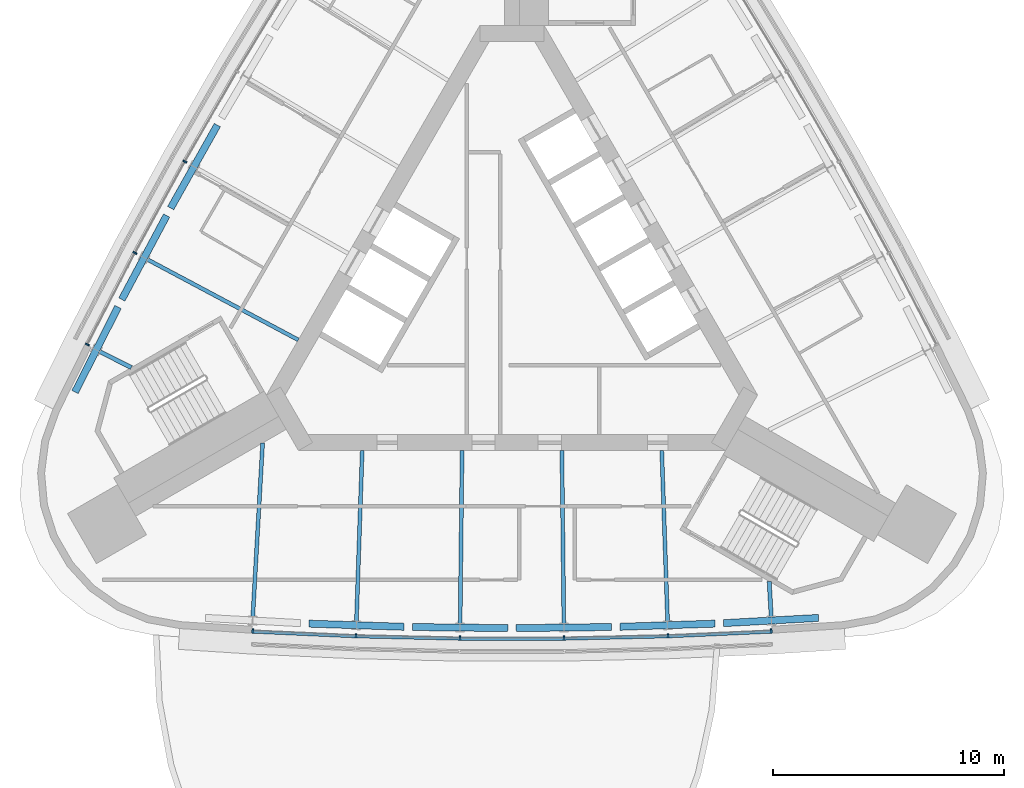
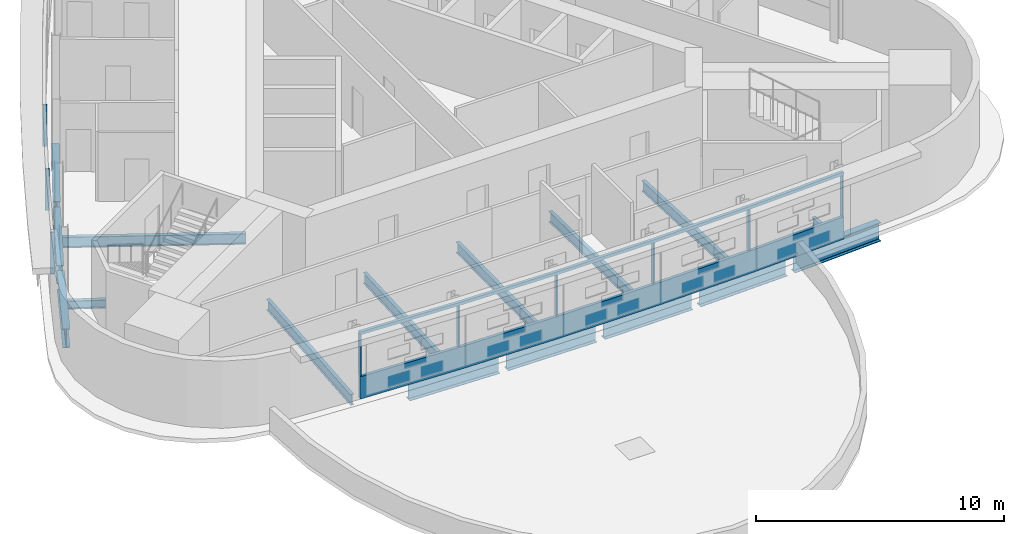
# One storey, part 2 of 9: 16 beams, 11 members, 2 elements without a shape of their own.
"""IFC4 building model written with IfcOpenShell, lengths in metres."""

from ifc_helpers import new_model, si_unit, direction, frame, origin, origin_2d, place, context, subcontext, project, spatial, polyline, rectangle, i_section, outline, extrude, material, material_profile, profile_set, type_object, element, aggregate, save


model = new_model("IFC4")

# Units and contexts
model_context = context("Model", 3, precision=1e-05, world=origin(), true_north=direction((0.0, 1.0)))
body_context = subcontext(model_context, "Body", "Model", "MODEL_VIEW")
ifc_project = project(units=[si_unit("LENGTHUNIT", "METRE"), si_unit("AREAUNIT", "SQUARE_METRE"), si_unit("VOLUMEUNIT", "CUBIC_METRE"), si_unit("PLANEANGLEUNIT", "RADIAN"), si_unit("MASSUNIT", "GRAM", prefix="KILO")], contexts=[model_context])

# Site, building, storey
site_placement = place(None, origin())
site = spatial("IfcSite", under=ifc_project, at=site_placement, CompositionType="ELEMENT")
building_placement = place(site_placement, origin())
building = spatial("IfcBuilding", under=site, at=building_placement, Name="Noor Cloister Tower", CompositionType="ELEMENT")
storey_placement = place(building_placement, frame((0.0, 0.0, 229.199951171875)))
storey = spatial("IfcBuildingStorey", under=building, at=storey_placement, Name="L59", CompositionType="ELEMENT", Elevation=229.199951171875)

# Curtain wall, member
ifc_material_1 = material(Name="Aluminium 6063-T6 anodised", Category="aluminium")
curtain_wall_type = type_object("IfcCurtainWallType", Name="Ribbon curtain wall, upper tower CW5", PredefinedType="NOTDEFINED", material=ifc_material_1)
curtain_wall_1_placement = place(storey_placement, origin())
curtain_wall_1 = element("IfcCurtainWall", 1, at=curtain_wall_1_placement, inside=storey, type_object=curtain_wall_type, Name="CW5 L59 S run 2", PredefinedType="NOTDEFINED")
ifc_material_2 = material(Name="Aluminium 6063-T6 anodised", Category="aluminium")
member_type_1 = type_object("IfcMemberType", Name="Head transom CW5 150", PredefinedType="USERDEFINED", material=ifc_material_2)
member_1_placement = place(storey_placement, frame((0.0, 0.0, 3.150146484375)))
member_1 = element("IfcMember", 2, at=member_1_placement, type_object=member_type_1, Name="CW5 head transom", ObjectType="TRANSOM", PredefinedType="USERDEFINED", context=body_context, shape_type="SweptSolid", body=[
    extrude(outline(polyline([(-11.243896484375, -14.820068359375), (-6.748779296875, -15.02392578125), (-2.25, -15.125732421875), (2.25, -15.125732421875), (6.748779296875, -15.02392578125), (11.243896484375, -14.820068359375), (11.237548828125, -14.68017578125), (6.743896484375, -14.884033203125), (2.248291015625, -14.98583984375), (-2.248291015625, -14.98583984375), (-6.743896484375, -14.884033203125), (-11.237548828125, -14.68017578125), (-11.243896484375, -14.820068359375)])), origin(), (0.0, 0.0, 1.0), 0.14990234375),
])

# Curtain wall, members
curtain_wall_2_placement = place(storey_placement, origin())
curtain_wall_2 = element("IfcCurtainWall", 3, at=curtain_wall_2_placement, inside=storey, type_object=curtain_wall_type, Name="CW5 L59 NW run 1", PredefinedType="NOTDEFINED")
ifc_material_3 = material(Name="Aluminium 6063-T6 anodised", Category="aluminium")
ifc_material_profile_1 = material_profile(ifc_material_3, rectangle(XDim=0.179931640625, YDim=0.070068359375, at=origin_2d()), Name="180 x 70 mullion")
ifc_profile_set_1 = profile_set([ifc_material_profile_1], Name="Aluminium 6063-T6 anodised")
member_type_2 = type_object("IfcMemberType", Name="Mullion CW5 70 x 180", PredefinedType="MULLION", material=ifc_profile_set_1)
member_2_placement = place(storey_placement, frame((-14.13720703125, 5.5654296875, 1.10009765625), z_axis=(0.0, 0.0, 1.0), x_axis=(0.871632377887, -0.490160175676, 0.0)))
member_2 = element("IfcMember", 4, at=member_2_placement, type_object=member_type_2, Name="CW5 mullion 4", PredefinedType="MULLION", context=body_context, shape_type="SweptSolid", body=[
    extrude(rectangle(XDim=0.179931640625, YDim=0.070068359375, at=origin_2d()), origin(), (0.0, 0.0, 1.0), 2.050048828125),
])
member_3_placement = place(storey_placement, frame((-16.297119140625, 1.620361328125, 1.10009765625), z_axis=(0.0, 0.0, 1.0), x_axis=(0.882510233786, -0.470293192874, 0.0)))
member_3 = element("IfcMember", 5, at=member_3_placement, type_object=member_type_2, Name="CW5 mullion 5", PredefinedType="MULLION", context=body_context, shape_type="SweptSolid", body=[
    extrude(rectangle(XDim=0.179931640625, YDim=0.070068359375, at=origin_2d()), origin(), (0.0, 0.0, 1.0), 2.050048828125),
])
member_4_placement = place(storey_placement, frame((-18.3515625, -2.342529296875, 1.10009765625), z_axis=(0.0, 0.0, 1.0), x_axis=(0.887779720384, -0.460268582541, 0.0)))
member_4 = element("IfcMember", 6, at=member_4_placement, type_object=member_type_2, Name="CW5 mullion 6", PredefinedType="MULLION", context=body_context, shape_type="SweptSolid", body=[
    extrude(rectangle(XDim=0.179931640625, YDim=0.070068359375, at=origin_2d()), origin(), (0.0, 0.0, 1.0), 2.050048828125),
])
aggregate(curtain_wall_2, [member_2, member_3, member_4])

# Member
member_5_placement = place(storey_placement, frame((-11.20458984375, -14.7216796875, 1.10009765625), z_axis=(0.0, 0.0, 1.0), x_axis=(0.045285575148, 0.998974082088, 0.0)))
member_5 = element("IfcMember", 7, at=member_5_placement, type_object=member_type_2, Name="CW5 mullion 1", PredefinedType="MULLION", context=body_context, shape_type="SweptSolid", body=[
    extrude(rectangle(XDim=0.179931640625, YDim=0.070068359375, at=origin_2d()), origin(), (0.0, 0.0, 1.0), 2.050048828125),
])

member_6_placement = place(storey_placement, frame((-6.745361328125, -14.923828125, 1.10009765625), z_axis=(0.0, 0.0, 1.0), x_axis=(0.033969264638, 0.999422877995, 0.0)))
member_6 = element("IfcMember", 8, at=member_6_placement, type_object=member_type_2, Name="CW5 mullion 2", PredefinedType="MULLION", context=body_context, shape_type="SweptSolid", body=[
    extrude(rectangle(XDim=0.179931640625, YDim=0.070068359375, at=origin_2d()), origin(), (0.0, 0.0, 1.0), 2.050048828125),
])

member_7_placement = place(storey_placement, frame((-2.248779296875, -15.02587890625, 1.10009765625), z_axis=(0.0, 0.0, 1.0), x_axis=(0.011325024885, 0.999935869849, 0.0)))
member_7 = element("IfcMember", 9, at=member_7_placement, type_object=member_type_2, Name="CW5 mullion 3", PredefinedType="MULLION", context=body_context, shape_type="SweptSolid", body=[
    extrude(rectangle(XDim=0.179931640625, YDim=0.070068359375, at=origin_2d()), origin(), (0.0, 0.0, 1.0), 2.050048828125),
])

member_8_placement = place(storey_placement, frame((2.248779296875, -15.02587890625, 1.10009765625), z_axis=(0.0, 0.0, 1.0), x_axis=(-0.011325024885, 0.999935869849, 0.0)))
member_8 = element("IfcMember", 10, at=member_8_placement, type_object=member_type_2, Name="CW5 mullion 4", PredefinedType="MULLION", context=body_context, shape_type="SweptSolid", body=[
    extrude(rectangle(XDim=0.179931640625, YDim=0.070068359375, at=origin_2d()), origin(), (0.0, 0.0, 1.0), 2.050048828125),
])

member_9_placement = place(storey_placement, frame((6.745361328125, -14.923828125, 1.10009765625), z_axis=(0.0, 0.0, 1.0), x_axis=(-0.033969264638, 0.999422877995, 0.0)))
member_9 = element("IfcMember", 11, at=member_9_placement, type_object=member_type_2, Name="CW5 mullion 5", PredefinedType="MULLION", context=body_context, shape_type="SweptSolid", body=[
    extrude(rectangle(XDim=0.179931640625, YDim=0.070068359375, at=origin_2d()), origin(), (0.0, 0.0, 1.0), 2.050048828125),
])

member_10_placement = place(storey_placement, frame((11.20458984375, -14.7216796875, 1.10009765625), z_axis=(0.0, 0.0, 1.0), x_axis=(-0.045285575148, 0.998974082088, 0.0)))
member_10 = element("IfcMember", 12, at=member_10_placement, type_object=member_type_2, Name="CW5 mullion 6", PredefinedType="MULLION", context=body_context, shape_type="SweptSolid", body=[
    extrude(rectangle(XDim=0.179931640625, YDim=0.070068359375, at=origin_2d()), origin(), (0.0, 0.0, 1.0), 2.050048828125),
])

# Beams
ifc_material_4 = material(Name="Steel ASTM A992 Gr 50", Category="steel")
ifc_material_profile_2 = material_profile(ifc_material_4, i_section(OverallWidth=0.177978515625, OverallDepth=0.406005859375, WebThickness=0.0078125, FlangeThickness=0.0126953125, FilletRadius=0.01025390625, at=origin_2d()), Name="W410x60")
ifc_profile_set_2 = profile_set([ifc_material_profile_2], Name="Steel ASTM A992 Gr 50")
beam_type_1 = type_object("IfcBeamType", Name="Radial beam W410x60", PredefinedType="BEAM", material=ifc_profile_set_2)
for number, where, z_axis, x_axis, name in (
    (13, (-17.829345703125, -2.643798828125, -0.40283203125), (0.892933749937, -0.45018809205, 0.0), (0.45018809205, 0.892933749937, 0.0), "Radial beam NW 06 L59"),
    (14, (11.204345703125, -14.11865234375, -0.40283203125), (-0.056689023723, 0.998391884277, 0.0), (-0.998391884277, -0.056689023723, 0.0), "Radial beam S 06 L59"),
):
    element("IfcBeam", number, at=place(storey_placement, frame(where, z_axis=z_axis, x_axis=x_axis)), inside=storey, type_object=beam_type_1, Name=name, PredefinedType="BEAM", context=body_context, shape_type="SweptSolid", body=[
        extrude(i_section(OverallWidth=0.177978515625, OverallDepth=0.406005859375, WebThickness=0.0078125, FlangeThickness=0.0126953125, FilletRadius=0.01025390625, at=origin_2d()), origin(), (0.0, 0.0, 1.0), 1.541748046875),
    ])
ifc_material_5 = material(Name="Steel ASTM A992 Gr 50", Category="steel")
ifc_material_profile_3 = material_profile(ifc_material_5, i_section(OverallWidth=0.166015625, OverallDepth=0.528076171875, WebThickness=0.009765625, FlangeThickness=0.013671875, FilletRadius=0.0126953125, at=origin_2d()), Name="W530x74")
ifc_profile_set_3 = profile_set([ifc_material_profile_3], Name="Steel ASTM A992 Gr 50")
beam_type_2 = type_object("IfcBeamType", Name="Radial beam W530x74", PredefinedType="BEAM", material=ifc_profile_set_3)
beam_1_placement = place(storey_placement, frame((-15.765380859375, 1.3369140625, -0.4638671875), z_axis=(0.88251550209, -0.470283306712, 0.0), x_axis=(0.470283306712, 0.88251550209, 0.0)))
element("IfcBeam", 15, at=beam_1_placement, inside=storey, type_object=beam_type_2, Name="Radial beam NW 05 L59", PredefinedType="BEAM", context=body_context, shape_type="SweptSolid", body=[
    extrude(i_section(OverallWidth=0.166015625, OverallDepth=0.528076171875, WebThickness=0.009765625, FlangeThickness=0.013671875, FilletRadius=0.0126953125, at=origin_2d()), origin(), (0.0, 0.0, 1.0), 7.397705078125),
])
beam_2_placement = place(storey_placement, frame((-11.204345703125, -14.11865234375, -0.4638671875), z_axis=(0.056620594241, 0.998395767373, 0.0), x_axis=(-0.998395767373, 0.056620594241, 0.0)))
element("IfcBeam", 16, at=beam_2_placement, inside=storey, type_object=beam_type_2, Name="Radial beam S 01 L59", PredefinedType="BEAM", context=body_context, shape_type="SweptSolid", body=[
    extrude(i_section(OverallWidth=0.166015625, OverallDepth=0.528076171875, WebThickness=0.009765625, FlangeThickness=0.013671875, FilletRadius=0.0126953125, at=origin_2d()), origin(), (0.0, 0.0, 1.0), 7.53271484375),
])
beam_3_placement = place(storey_placement, frame((-6.724853515625, -14.32177734375, -0.4638671875), z_axis=(0.033958740902, 0.99942323563, 0.0), x_axis=(-0.99942323563, 0.033958740902, 0.0)))
element("IfcBeam", 17, at=beam_3_placement, inside=storey, type_object=beam_type_2, Name="Radial beam S 02 L59", PredefinedType="BEAM", context=body_context, shape_type="SweptSolid", body=[
    extrude(i_section(OverallWidth=0.166015625, OverallDepth=0.528076171875, WebThickness=0.009765625, FlangeThickness=0.013671875, FilletRadius=0.0126953125, at=origin_2d()), origin(), (0.0, 0.0, 1.0), 7.397705078125),
])
for number, where, z_axis, x_axis, name in (
    (18, (-2.241943359375, -14.42333984375, -0.4638671875), (0.011302209655, 0.999936127989, 0.0), (-0.999936127989, 0.011302209655, 0.0), "Radial beam S 03 L59"),
    (19, (2.241943359375, -14.42333984375, -0.4638671875), (-0.011302209655, 0.999936127989, 0.0), (-0.999936127989, -0.011302209655, 0.0), "Radial beam S 04 L59"),
):
    element("IfcBeam", number, at=place(storey_placement, frame(where, z_axis=z_axis, x_axis=x_axis)), inside=storey, type_object=beam_type_2, Name=name, PredefinedType="BEAM", context=body_context, shape_type="SweptSolid", body=[
        extrude(i_section(OverallWidth=0.166015625, OverallDepth=0.528076171875, WebThickness=0.009765625, FlangeThickness=0.013671875, FilletRadius=0.0126953125, at=origin_2d()), origin(), (0.0, 0.0, 1.0), 7.49560546875),
    ])
beam_4_placement = place(storey_placement, frame((6.724853515625, -14.32177734375, -0.4638671875), z_axis=(-0.033958740902, 0.99942323563, 0.0), x_axis=(-0.99942323563, -0.033958740902, 0.0)))
element("IfcBeam", 20, at=beam_4_placement, inside=storey, type_object=beam_type_2, Name="Radial beam S 05 L59", PredefinedType="BEAM", context=body_context, shape_type="SweptSolid", body=[
    extrude(i_section(OverallWidth=0.166015625, OverallDepth=0.528076171875, WebThickness=0.009765625, FlangeThickness=0.013671875, FilletRadius=0.0126953125, at=origin_2d()), origin(), (0.0, 0.0, 1.0), 7.397705078125),
])

# Member
ifc_material_6 = material(Name="Aluminium 6063-T6 anodised", Category="aluminium")
member_type_3 = type_object("IfcMemberType", Name="Sill transom CW5 1100", PredefinedType="USERDEFINED", material=ifc_material_6)
member_11_placement = place(storey_placement, origin())
member_11 = element("IfcMember", 21, at=member_11_placement, type_object=member_type_3, Name="CW5 sill transom", ObjectType="TRANSOM", PredefinedType="USERDEFINED", context=body_context, shape_type="SweptSolid", body=[
    extrude(outline(polyline([(-11.243896484375, -14.820068359375), (-6.748779296875, -15.02392578125), (-2.25, -15.125732421875), (2.25, -15.125732421875), (6.748779296875, -15.02392578125), (11.243896484375, -14.820068359375), (11.237548828125, -14.68017578125), (6.743896484375, -14.884033203125), (2.248291015625, -14.98583984375), (-2.248291015625, -14.98583984375), (-6.743896484375, -14.884033203125), (-11.237548828125, -14.68017578125), (-11.243896484375, -14.820068359375)])), origin(), (0.0, 0.0, 1.0), 1.10009765625),
])

aggregate(curtain_wall_1, [member_5, member_6, member_7, member_8, member_9, member_10, member_11, member_1])

# Beams
ifc_material_7 = material(Name="Steel ASTM A992 Gr 50", Category="steel")
ifc_material_profile_4 = material_profile(ifc_material_7, i_section(OverallWidth=0.304931640625, OverallDepth=0.9189453125, WebThickness=0.017333984375, FlangeThickness=0.02783203125, FilletRadius=0.01904296875, at=origin_2d()), Name="W920x253")
ifc_profile_set_4 = profile_set([ifc_material_profile_4], Name="Steel ASTM A992 Gr 50")
beam_type_3 = type_object("IfcBeamType", Name="Transfer girder W920x253", PredefinedType="BEAM", material=ifc_profile_set_4)
beam_5_placement = place(storey_placement, frame((-12.734130859375, 7.14111328125, -0.659423828125), z_axis=(-0.490371095004, -0.871513734364, 0.0), x_axis=(0.871513734364, -0.490371095004, 0.0)))
element("IfcBeam", 22, at=beam_5_placement, inside=storey, type_object=beam_type_3, Name="Transfer girder NW 04 L59", PredefinedType="BEAM", context=body_context, shape_type="SweptSolid", body=[
    extrude(i_section(OverallWidth=0.304931640625, OverallDepth=0.9189453125, WebThickness=0.017333984375, FlangeThickness=0.02783203125, FilletRadius=0.01904296875, at=origin_2d()), origin(), (0.0, 0.0, 1.0), 4.114990234375),
])
for number, where, z_axis, x_axis, name in (
    (23, (-14.92578125, 3.233642578125, -0.659423828125), (-0.470976207759, -0.882145912945, 0.0), (0.882145912945, -0.470976207759, 0.0), "Transfer girder NW 05 L59"),
    (24, (-17.0283203125, -0.722412109375, -0.659423828125), (-0.451338334534, -0.892352905402, 0.0), (0.892352905402, -0.451338334534, 0.0), "Transfer girder NW 06 L59"),
):
    element("IfcBeam", number, at=place(storey_placement, frame(where, z_axis=z_axis, x_axis=x_axis)), inside=storey, type_object=beam_type_3, Name=name, PredefinedType="BEAM", context=body_context, shape_type="SweptSolid", body=[
        extrude(i_section(OverallWidth=0.304931640625, OverallDepth=0.9189453125, WebThickness=0.017333984375, FlangeThickness=0.02783203125, FilletRadius=0.01904296875, at=origin_2d()), origin(), (0.0, 0.0, 1.0), 4.11474609375),
    ])
beam_6_placement = place(storey_placement, frame((-8.77490234375, -14.40625, -0.659423828125), z_axis=(0.999449769581, -0.033168631038, 0.0), x_axis=(0.033168631038, 0.999449769581, 0.0)))
element("IfcBeam", 25, at=beam_6_placement, inside=storey, type_object=beam_type_3, Name="Transfer girder S 02 L59", PredefinedType="BEAM", context=body_context, shape_type="SweptSolid", body=[
    extrude(i_section(OverallWidth=0.304931640625, OverallDepth=0.9189453125, WebThickness=0.017333984375, FlangeThickness=0.02783203125, FilletRadius=0.01904296875, at=origin_2d()), origin(), (0.0, 0.0, 1.0), 4.114501953125),
])
for number, where, z_axis, x_axis, name in (
    (26, (-4.297119140625, -14.552978515625, -0.659423828125), (0.999938445661, -0.011095264305, 0.0), (0.011095264305, 0.999938445661, 0.0), "Transfer girder S 03 L59"),
    (27, (0.1826171875, -14.5986328125, -0.659423828125), (0.999938445661, 0.011095264305, 0.0), (-0.011095264305, 0.999938445661, 0.0), "Transfer girder S 04 L59"),
):
    element("IfcBeam", number, at=place(storey_placement, frame(where, z_axis=z_axis, x_axis=x_axis)), inside=storey, type_object=beam_type_3, Name=name, PredefinedType="BEAM", context=body_context, shape_type="SweptSolid", body=[
        extrude(i_section(OverallWidth=0.304931640625, OverallDepth=0.9189453125, WebThickness=0.017333984375, FlangeThickness=0.02783203125, FilletRadius=0.01904296875, at=origin_2d()), origin(), (0.0, 0.0, 1.0), 4.11474609375),
    ])
beam_7_placement = place(storey_placement, frame((4.66259765625, -14.542724609375, -0.659423828125), z_axis=(0.999449769581, 0.033168631038, 0.0), x_axis=(-0.033168631038, 0.999449769581, 0.0)))
element("IfcBeam", 28, at=beam_7_placement, inside=storey, type_object=beam_type_3, Name="Transfer girder S 05 L59", PredefinedType="BEAM", context=body_context, shape_type="SweptSolid", body=[
    extrude(i_section(OverallWidth=0.304931640625, OverallDepth=0.9189453125, WebThickness=0.017333984375, FlangeThickness=0.02783203125, FilletRadius=0.01904296875, at=origin_2d()), origin(), (0.0, 0.0, 1.0), 4.114501953125),
])
beam_8_placement = place(storey_placement, frame((9.139892578125, -14.3857421875, -0.659423828125), z_axis=(0.998469831997, 0.055299137356, 0.0), x_axis=(-0.055299137356, 0.998469831997, 0.0)))
element("IfcBeam", 29, at=beam_8_placement, inside=storey, type_object=beam_type_3, Name="Transfer girder S 06 L59", PredefinedType="BEAM", context=body_context, shape_type="SweptSolid", body=[
    extrude(i_section(OverallWidth=0.304931640625, OverallDepth=0.9189453125, WebThickness=0.017333984375, FlangeThickness=0.02783203125, FilletRadius=0.01904296875, at=origin_2d()), origin(), (0.0, 0.0, 1.0), 4.11474609375),
])

save(model, "model.ifc")
